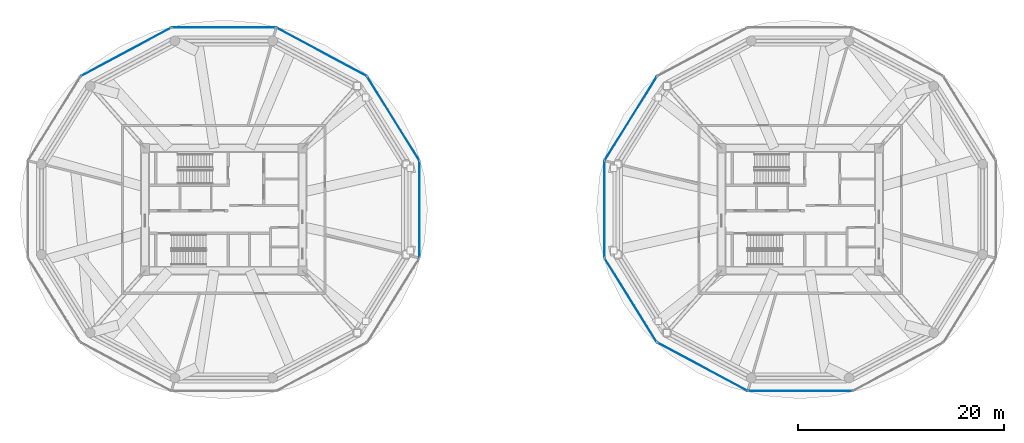
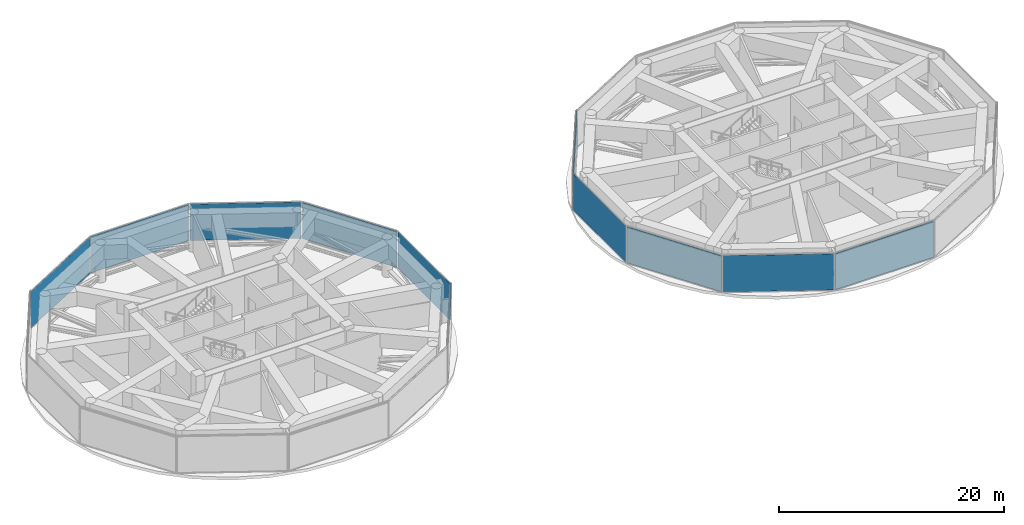
# One storey, part 14 of 22: 10 plates, 10 elements without a shape of their own.
"""IFC4 building model written with IfcOpenShell, lengths in metres."""

import ifcopenshell
import ifcopenshell.guid

model = None  # the IFC model being written
_history = None  # IfcOwnerHistory: only IFC2X3 demands one
_inside = {}  # id of a spatial element -> (the spatial element, [elements in it])
_under = {}  # id of a project, library or spatial element -> (it, [spatial elements below it])
_declared = {}  # id of a project -> (the project, [libraries it declares])
_typed = {}  # id of a type object -> (the type object, [elements of that type])
_made_of = {}  # id of a material, layer set ... -> (it, [elements and type objects made of it])


def new_model(schema):
    """Start an empty IFC model of exactly this schema.

    Asked for "IFC4X3", IfcOpenShell would pick the latest addendum, in which some entities
    have other attributes; the version numbers below select the first issue.
    IFC2X3 requires an IfcOwnerHistory on every rooted entity: one is made here for all.
    """
    global model, _history
    if schema == "IFC4X3":
        model = ifcopenshell.file(schema_version=(4, 3, 0, 0))
    else:
        model = ifcopenshell.file(schema=schema)
    _inside.clear()
    _under.clear()
    _declared.clear()
    _typed.clear()
    _made_of.clear()
    _history = None
    if model.schema == "IFC2X3":
        org = make("IfcOrganization", Name="unknown")
        user = make(
            "IfcPersonAndOrganization",
            ThePerson=make("IfcPerson", FamilyName="unknown"),
            TheOrganization=org,
        )
        app = make(
            "IfcApplication",
            ApplicationDeveloper=org,
            Version="unknown",
            ApplicationFullName="unknown",
            ApplicationIdentifier="unknown",
        )
        _history = make(
            "IfcOwnerHistory",
            OwningUser=user,
            OwningApplication=app,
            ChangeAction="ADDED",
            CreationDate=0,
        )
    return model


def make(cls, **values):
    """One entity of the class cls with the attributes given. An attribute that is None is left unset."""
    return model.create_entity(
        cls, **{name: value for name, value in values.items() if value is not None}
    )


def rooted(cls, **values):
    """An entity with a GlobalId (a new one), such as an element, a storey or a relation."""
    return make(cls, GlobalId=ifcopenshell.guid.new(), OwnerHistory=_history, **values)


def si_unit(unit_type, name, prefix=None):
    """IfcSIUnit, for example si_unit("LENGTHUNIT", "METRE", prefix="MILLI")."""
    return make("IfcSIUnit", UnitType=unit_type, Prefix=prefix, Name=name)


def assignment(units):
    """IfcUnitAssignment: the units of a project."""
    return None if units is None else make("IfcUnitAssignment", Units=units)


def point(xyz):
    """IfcCartesianPoint."""
    return None if xyz is None else make("IfcCartesianPoint", Coordinates=xyz)


def direction(xyz):
    """IfcDirection."""
    return None if xyz is None else make("IfcDirection", DirectionRatios=xyz)


def frame(location, z_axis=None, x_axis=None):
    """IfcAxis2Placement3D, a coordinate frame: its origin and axes. An axis left out is left unset."""
    return make(
        "IfcAxis2Placement3D",
        Location=point(location),
        Axis=direction(z_axis),
        RefDirection=direction(x_axis),
    )


def frame_2d(location, x_axis=None):
    """IfcAxis2Placement2D, a coordinate frame in the plane: its origin and x axis."""
    return make(
        "IfcAxis2Placement2D", Location=point(location), RefDirection=direction(x_axis)
    )


def origin():
    """The frame at (0, 0, 0) with its axes left unset."""
    return frame((0.0, 0.0, 0.0))


def origin_2d():
    """The frame at (0, 0) in the plane with its x axis left unset."""
    return frame_2d((0.0, 0.0))


def place(relative_to, where):
    """IfcLocalPlacement: puts the frame where relative to a parent placement (None: the world)."""
    return make(
        "IfcLocalPlacement", PlacementRelTo=relative_to, RelativePlacement=where
    )


def context(
    kind, dimensions, precision=None, world=None, true_north=None, identifier=None
):
    """IfcGeometricRepresentationContext, for example the 3D "Model" context."""
    return make(
        "IfcGeometricRepresentationContext",
        ContextIdentifier=identifier,
        ContextType=kind,
        CoordinateSpaceDimension=dimensions,
        Precision=precision,
        WorldCoordinateSystem=world,
        TrueNorth=true_north,
    )


def subcontext(parent, identifier, kind, view, scale=None):
    """IfcGeometricRepresentationSubContext, for example "Body" below "Model"."""
    return make(
        "IfcGeometricRepresentationSubContext",
        ContextIdentifier=identifier,
        ContextType=kind,
        ParentContext=parent,
        TargetScale=scale,
        TargetView=view,
    )


def project(units=None, contexts=None):
    """IfcProject with its units and contexts."""
    return rooted(
        "IfcProject",
        Name="project",
        RepresentationContexts=contexts,
        UnitsInContext=assignment(units),
    )


def spatial(cls, under=None, at=None, **own):
    """A site, building, storey or space (cls), placed at a placement, below another one or the project."""
    s = rooted(cls, ObjectPlacement=at, **own)
    if under is not None:
        _under.setdefault(under.id(), (under, []))[1].append(s)
    return s


def profile(cls, at=None, kind="AREA", **sizes):
    """A parametric profile (cls). Its sizes go by their IFC names, for example OverallWidth=200.0."""
    return make(cls, ProfileType=kind, Position=at, **sizes)


def rectangle(**sizes):
    """IfcRectangleProfileDef."""
    return profile("IfcRectangleProfileDef", **sizes)


def extrude(swept, where, along, depth):
    """IfcExtrudedAreaSolid: the profile swept, set in the frame where, extruded along a direction by depth."""
    return make(
        "IfcExtrudedAreaSolid",
        SweptArea=swept,
        Position=where,
        ExtrudedDirection=direction(along),
        Depth=depth,
    )


def shape(context_of_items, identifier, shape_type, items):
    """IfcShapeRepresentation: the items that make up one representation, for example the "Body"."""
    return make(
        "IfcShapeRepresentation",
        ContextOfItems=context_of_items,
        RepresentationIdentifier=identifier,
        RepresentationType=shape_type,
        Items=items,
    )


def source(mapping_origin, context_of_items, identifier, shape_type, items):
    """IfcRepresentationMap: a shape defined once, which mapped items show again and again."""
    return make(
        "IfcRepresentationMap",
        MappingOrigin=mapping_origin,
        MappedRepresentation=shape(context_of_items, identifier, shape_type, items),
    )


def transform(
    local_origin,
    x_axis=None,
    y_axis=None,
    z_axis=None,
    scale=None,
    scale2=None,
    scale3=None,
    uniform=True,
):
    """IfcCartesianTransformationOperator3D, or its non-uniform kind. x_axis, y_axis, z_axis: its Axis1, 2, 3."""
    if uniform:
        return make(
            "IfcCartesianTransformationOperator3D",
            Axis1=direction(x_axis),
            Axis2=direction(y_axis),
            LocalOrigin=point(local_origin),
            Scale=scale,
            Axis3=direction(z_axis),
        )
    return make(
        "IfcCartesianTransformationOperator3DnonUniform",
        Axis1=direction(x_axis),
        Axis2=direction(y_axis),
        LocalOrigin=point(local_origin),
        Scale=scale,
        Axis3=direction(z_axis),
        Scale2=scale2,
        Scale3=scale3,
    )


def mapped(mapping_source, mapping_target):
    """IfcMappedItem: shows the shape of a source again, moved by a transform."""
    return make(
        "IfcMappedItem", MappingSource=mapping_source, MappingTarget=mapping_target
    )


def material(Name=None, Category=None):
    """IfcMaterial."""
    return make("IfcMaterial", Name=Name, Category=Category)


def layer(
    of_material, thickness, ventilated=None, Name=None, Category=None, Priority=None
):
    """IfcMaterialLayer: one layer of a wall or slab, of a material (None: an air gap)."""
    return make(
        "IfcMaterialLayer",
        Material=of_material,
        LayerThickness=thickness,
        IsVentilated=ventilated,
        Name=Name,
        Category=Category,
        Priority=Priority,
    )


def layer_set(layers, Name=None):
    """IfcMaterialLayerSet."""
    return make("IfcMaterialLayerSet", MaterialLayers=layers, LayerSetName=Name)


def made_of(thing, what):
    """Note that an element or type object is made of a material, layer set ...; save() writes the relation."""
    if what is not None:
        _made_of.setdefault(what.id(), (what, []))[1].append(thing)
    return thing


def type_object(cls, material=None, **own):
    """A type object (cls), such as IfcWallType, which elements share."""
    return made_of(rooted(cls, **own), material)


def type_shapes(of_type, sources):
    """Give a type object the sources (RepresentationMaps) that its elements show as mapped items."""
    of_type.RepresentationMaps = sources


def element(
    cls,
    number,
    at=None,
    inside=None,
    cuts=None,
    type_object=None,
    material=None,
    context=None,
    identifier="Body",
    shape_type=None,
    held_by="IfcProductDefinitionShape",
    body=None,
    shapes=None,
    **own,
):
    """One element of the class cls, such as IfcWall. Its Tag is "e" and its number.

    at: its placement. inside: the storey or other place that contains it. cuts: it is an
    opening in that element (IfcRelVoidsElement). A single representation is given by context,
    identifier, shape_type and body (its items); several are given by shapes. held_by: the class
    of the entity that holds the representations. save() writes the other relations.
    """
    e = rooted(cls, Tag="e%d" % number, ObjectPlacement=at, **own)
    if body is not None:
        shapes = [shape(context, identifier, shape_type, body)]
    if shapes is not None:
        e.Representation = make(held_by, Representations=shapes)
    if inside is not None:
        _inside.setdefault(inside.id(), (inside, []))[1].append(e)
    if cuts is not None:
        rooted(
            "IfcRelVoidsElement", RelatingBuildingElement=cuts, RelatedOpeningElement=e
        )
    if type_object is not None:
        _typed.setdefault(type_object.id(), (type_object, []))[1].append(e)
    return made_of(e, material)


def aggregate(whole, parts):
    """IfcRelAggregates: a whole, such as a stair, and the parts it consists of."""
    return rooted("IfcRelAggregates", RelatingObject=whole, RelatedObjects=parts)


def save(model, path):
    """Write the relations noted so far, then the file.

    IfcRelAggregates (storeys below a building ...), IfcRelContainedInSpatialStructure (elements
    in a storey), IfcRelDefinesByType, IfcRelAssociatesMaterial and IfcRelDeclares: one each for
    every whole, place, type object, material and project.
    """
    for whole, parts in _under.values():
        aggregate(whole, parts)
    for where, things in _inside.values():
        rooted(
            "IfcRelContainedInSpatialStructure",
            RelatedElements=things,
            RelatingStructure=where,
        )
    for kind, things in _typed.values():
        rooted("IfcRelDefinesByType", RelatedObjects=things, RelatingType=kind)
    for what, things in _made_of.values():
        rooted("IfcRelAssociatesMaterial", RelatedObjects=things, RelatingMaterial=what)
    for by, libraries in _declared.values():
        rooted("IfcRelDeclares", RelatingContext=by, RelatedDefinitions=libraries)
    model.write(path)


model = new_model("IFC4")

# Units and contexts
model_context = context("Model", 3, precision=1e-05, world=origin(), true_north=direction((0.0, 1.0)))
body_context = subcontext(model_context, "Body", "Model", "MODEL_VIEW")
ifc_project = project(units=[si_unit("LENGTHUNIT", "METRE"), si_unit("AREAUNIT", "SQUARE_METRE"), si_unit("VOLUMEUNIT", "CUBIC_METRE"), si_unit("PLANEANGLEUNIT", "RADIAN"), si_unit("MASSUNIT", "GRAM", prefix="KILO")], contexts=[model_context])

# Site, building, storey
site_placement = place(None, origin())
site = spatial("IfcSite", under=ifc_project, at=site_placement, CompositionType="ELEMENT")
building_placement = place(site_placement, origin())
building = spatial("IfcBuilding", under=site, at=building_placement, Name="Norrkilde Senior Care Towers", CompositionType="ELEMENT")
storey_placement = place(building_placement, frame((0.0, 0.0, 73.449951171875)))
storey = spatial("IfcBuildingStorey", under=building, at=storey_placement, Name="L22", CompositionType="ELEMENT", Elevation=73.449951171875)

# Curtain wall, plate
ifc_material_1 = material(Name="Triple Low-E Insulated Glazing", Category="glass")
ifc_layer_1 = layer(ifc_material_1, 0.18505859375)
ifc_layer_set_1 = layer_set([ifc_layer_1], Name="Triple Low-E Insulated Glazing")
curtain_wall_type = type_object("IfcCurtainWallType", Name="CW6 Zone 4 Crown Pavilion Curtain Wall", PredefinedType="NOTDEFINED", material=ifc_layer_set_1)
curtain_wall_1_placement = place(storey_placement, origin())
curtain_wall_1 = element("IfcCurtainWall", 1, at=curtain_wall_1_placement, inside=storey, type_object=curtain_wall_type, Name="L22 Drum W Curtain Wall 00", PredefinedType="NOTDEFINED")
ifc_material_2 = material(Name="Architectural Terracotta", Category="masonry")
ifc_layer_2 = layer(ifc_material_2, 0.048095703125)
ifc_layer_set_2 = layer_set([ifc_layer_2], Name="Architectural Terracotta")
plate_type = type_object("IfcPlateType", Name="Insulated Terracotta Spandrel Panel 48", PredefinedType="CURTAIN_PANEL", material=ifc_layer_set_2)
shared_shape_1 = source(origin(), body_context, "Body", "SweptSolid", [
    extrude(rectangle(XDim=9.5087890625, YDim=0.048095703125, at=origin_2d()), origin(), (0.0, 0.0, 1.0), 3.949951171875),
])
plate_1_placement = place(storey_placement, frame((-11.537353515625, 8.82861328125, 0.06494140625), z_axis=(0.0, 0.0, 1.0), x_axis=(0.527900951871, -0.849305943117, 0.0)))
plate_1 = element("IfcPlate", 2, at=plate_1_placement, type_object=plate_type, Name="CW-6 panel 1.1", PredefinedType="CURTAIN_PANEL", context=body_context, shape_type="MappedRepresentation", body=[
    mapped(shared_shape_1, transform((0.0, 0.0, 0.0), x_axis=(1.0, 0.0, 0.0), y_axis=(0.0, 1.0, 0.0), z_axis=(0.0, 0.0, 1.0), scale=1.0)),
])
aggregate(curtain_wall_1, [plate_1])

curtain_wall_2_placement = place(storey_placement, origin())
curtain_wall_2 = element("IfcCurtainWall", 3, at=curtain_wall_2_placement, inside=storey, type_object=curtain_wall_type, Name="L22 Drum E Curtain Wall 04", PredefinedType="NOTDEFINED")
plate_2_placement = place(storey_placement, frame((11.537353515625, 8.82861328125, 0.06494140625), z_axis=(0.0, 0.0, 1.0), x_axis=(0.527900951871, 0.849305943117, 0.0)))
plate_2 = element("IfcPlate", 4, at=plate_2_placement, type_object=plate_type, Name="CW-6 panel 1.1", PredefinedType="CURTAIN_PANEL", context=body_context, shape_type="MappedRepresentation", body=[
    mapped(shared_shape_1, transform((0.0, 0.0, 0.0), x_axis=(1.0, 0.0, 0.0), y_axis=(0.0, 1.0, 0.0), z_axis=(0.0, 0.0, 1.0), scale=1.0)),
])
aggregate(curtain_wall_2, [plate_2])

curtain_wall_3_placement = place(storey_placement, origin())
curtain_wall_3 = element("IfcCurtainWall", 5, at=curtain_wall_3_placement, inside=storey, type_object=curtain_wall_type, Name="L22 Drum E Curtain Wall 06", PredefinedType="NOTDEFINED")
plate_3_placement = place(storey_placement, frame((11.537353515625, -8.82861328125, 0.06494140625), z_axis=(0.0, 0.0, 1.0), x_axis=(-0.527900951871, 0.849305943117, 0.0)))
plate_3 = element("IfcPlate", 6, at=plate_3_placement, type_object=plate_type, Name="CW-6 panel 1.1", PredefinedType="CURTAIN_PANEL", context=body_context, shape_type="MappedRepresentation", body=[
    mapped(shared_shape_1, transform((0.0, 0.0, 0.0), x_axis=(1.0, 0.0, 0.0), y_axis=(0.0, 1.0, 0.0), z_axis=(0.0, 0.0, 1.0), scale=1.0)),
])
aggregate(curtain_wall_3, [plate_3])

curtain_wall_4_placement = place(storey_placement, origin())
curtain_wall_4 = element("IfcCurtainWall", 7, at=curtain_wall_4_placement, inside=storey, type_object=curtain_wall_type, Name="L22 Drum W Curtain Wall 01", PredefinedType="NOTDEFINED")
shared_shape_2 = source(origin(), body_context, "Body", "SweptSolid", [
    extrude(rectangle(XDim=9.870849609375, YDim=0.048095703125, at=origin_2d()), origin(), (0.0, 0.0, 1.0), 3.949951171875),
])
plate_4_placement = place(storey_placement, frame((-18.495361328125, 15.29150390625, 0.06494140625), z_axis=(0.0, 0.0, 1.0), x_axis=(0.881272866403, -0.472607802456, 0.0)))
plate_4 = element("IfcPlate", 8, at=plate_4_placement, type_object=plate_type, Name="CW-6 panel 1.1", PredefinedType="CURTAIN_PANEL", context=body_context, shape_type="MappedRepresentation", body=[
    mapped(shared_shape_2, transform((0.0, 0.0, 0.0), x_axis=(1.0, 0.0, 0.0), y_axis=(0.0, 1.0, 0.0), z_axis=(0.0, 0.0, 1.0), scale=1.0)),
])
aggregate(curtain_wall_4, [plate_4])

curtain_wall_5_placement = place(storey_placement, origin())
curtain_wall_5 = element("IfcCurtainWall", 9, at=curtain_wall_5_placement, inside=storey, type_object=curtain_wall_type, Name="L22 Drum W Curtain Wall 03", PredefinedType="NOTDEFINED")
plate_5_placement = place(storey_placement, frame((-37.504638671875, 15.29150390625, 0.06494140625), z_axis=(0.0, 0.0, 1.0), x_axis=(0.881272866403, 0.472607802456, 0.0)))
plate_5 = element("IfcPlate", 10, at=plate_5_placement, type_object=plate_type, Name="CW-6 panel 1.1", PredefinedType="CURTAIN_PANEL", context=body_context, shape_type="MappedRepresentation", body=[
    mapped(shared_shape_2, transform((0.0, 0.0, 0.0), x_axis=(1.0, 0.0, 0.0), y_axis=(0.0, 1.0, 0.0), z_axis=(0.0, 0.0, 1.0), scale=1.0)),
])
aggregate(curtain_wall_5, [plate_5])

curtain_wall_6_placement = place(storey_placement, origin())
curtain_wall_6 = element("IfcCurtainWall", 11, at=curtain_wall_6_placement, inside=storey, type_object=curtain_wall_type, Name="L22 Drum E Curtain Wall 07", PredefinedType="NOTDEFINED")
plate_6_placement = place(storey_placement, frame((18.495361328125, -15.29150390625, 0.06494140625), z_axis=(0.0, 0.0, 1.0), x_axis=(-0.881272866403, 0.472607802456, 0.0)))
plate_6 = element("IfcPlate", 12, at=plate_6_placement, type_object=plate_type, Name="CW-6 panel 1.1", PredefinedType="CURTAIN_PANEL", context=body_context, shape_type="MappedRepresentation", body=[
    mapped(shared_shape_2, transform((0.0, 0.0, 0.0), x_axis=(1.0, 0.0, 0.0), y_axis=(0.0, 1.0, 0.0), z_axis=(0.0, 0.0, 1.0), scale=1.0)),
])
aggregate(curtain_wall_6, [plate_6])

curtain_wall_7_placement = place(storey_placement, origin())
curtain_wall_7 = element("IfcCurtainWall", 13, at=curtain_wall_7_placement, inside=storey, type_object=curtain_wall_type, Name="L22 Drum W Curtain Wall 02", PredefinedType="NOTDEFINED")
shared_shape_3 = source(origin(), body_context, "Body", "SweptSolid", [
    extrude(rectangle(XDim=10.047119140625, YDim=0.048095703125, at=origin_2d()), origin(), (0.0, 0.0, 1.0), 3.949951171875),
])
plate_7_placement = place(storey_placement, frame((-28.0, 17.6572265625, 0.06494140625), z_axis=(0.0, 0.0, 1.0), x_axis=(1.0, 0.0, 0.0)))
plate_7 = element("IfcPlate", 14, at=plate_7_placement, type_object=plate_type, Name="CW-6 panel 1.1", PredefinedType="CURTAIN_PANEL", context=body_context, shape_type="MappedRepresentation", body=[
    mapped(shared_shape_3, transform((0.0, 0.0, 0.0), x_axis=(1.0, 0.0, 0.0), y_axis=(0.0, 1.0, 0.0), z_axis=(0.0, 0.0, 1.0), scale=1.0)),
])
aggregate(curtain_wall_7, [plate_7])

curtain_wall_8_placement = place(storey_placement, origin())
curtain_wall_8 = element("IfcCurtainWall", 15, at=curtain_wall_8_placement, inside=storey, type_object=curtain_wall_type, Name="L22 Drum E Curtain Wall 08", PredefinedType="NOTDEFINED")
plate_8_placement = place(storey_placement, frame((28.0, -17.6572265625, 0.06494140625), z_axis=(0.0, 0.0, 1.0), x_axis=(-1.0, 0.0, 0.0)))
plate_8 = element("IfcPlate", 16, at=plate_8_placement, type_object=plate_type, Name="CW-6 panel 1.1", PredefinedType="CURTAIN_PANEL", context=body_context, shape_type="MappedRepresentation", body=[
    mapped(shared_shape_3, transform((0.0, 0.0, 0.0), x_axis=(1.0, 0.0, 0.0), y_axis=(0.0, 1.0, 0.0), z_axis=(0.0, 0.0, 1.0), scale=1.0)),
])
aggregate(curtain_wall_8, [plate_8])

curtain_wall_9_placement = place(storey_placement, origin())
curtain_wall_9 = element("IfcCurtainWall", 17, at=curtain_wall_9_placement, inside=storey, type_object=curtain_wall_type, Name="L22 Drum W Curtain Wall 11", PredefinedType="NOTDEFINED")
shared_shape_4 = source(origin(), body_context, "Body", "SweptSolid", [
    extrude(rectangle(XDim=9.322509765625, YDim=0.048095703125, at=origin_2d()), origin(), (0.0, 0.0, 1.0), 3.949951171875),
])
type_shapes(plate_type, [shared_shape_1, shared_shape_2, shared_shape_3, shared_shape_4])
plate_9_placement = place(storey_placement, frame((-8.990478515625, 0.0, 0.06494140625), z_axis=(0.0, 0.0, 1.0), x_axis=(0.0, -1.0, 0.0)))
plate_9 = element("IfcPlate", 18, at=plate_9_placement, type_object=plate_type, Name="CW-6 panel 1.1", PredefinedType="CURTAIN_PANEL", context=body_context, shape_type="MappedRepresentation", body=[
    mapped(shared_shape_4, transform((0.0, 0.0, 0.0), x_axis=(1.0, 0.0, 0.0), y_axis=(0.0, 1.0, 0.0), z_axis=(0.0, 0.0, 1.0), scale=1.0)),
])
aggregate(curtain_wall_9, [plate_9])

curtain_wall_10_placement = place(storey_placement, origin())
curtain_wall_10 = element("IfcCurtainWall", 19, at=curtain_wall_10_placement, inside=storey, type_object=curtain_wall_type, Name="L22 Drum E Curtain Wall 05", PredefinedType="NOTDEFINED")
plate_10_placement = place(storey_placement, frame((8.990478515625, 0.0, 0.06494140625), z_axis=(0.0, 0.0, 1.0), x_axis=(0.0, 1.0, 0.0)))
plate_10 = element("IfcPlate", 20, at=plate_10_placement, type_object=plate_type, Name="CW-6 panel 1.1", PredefinedType="CURTAIN_PANEL", context=body_context, shape_type="MappedRepresentation", body=[
    mapped(shared_shape_4, transform((0.0, 0.0, 0.0), x_axis=(1.0, 0.0, 0.0), y_axis=(0.0, 1.0, 0.0), z_axis=(0.0, 0.0, 1.0), scale=1.0)),
])
aggregate(curtain_wall_10, [plate_10])

save(model, "model.ifc")
